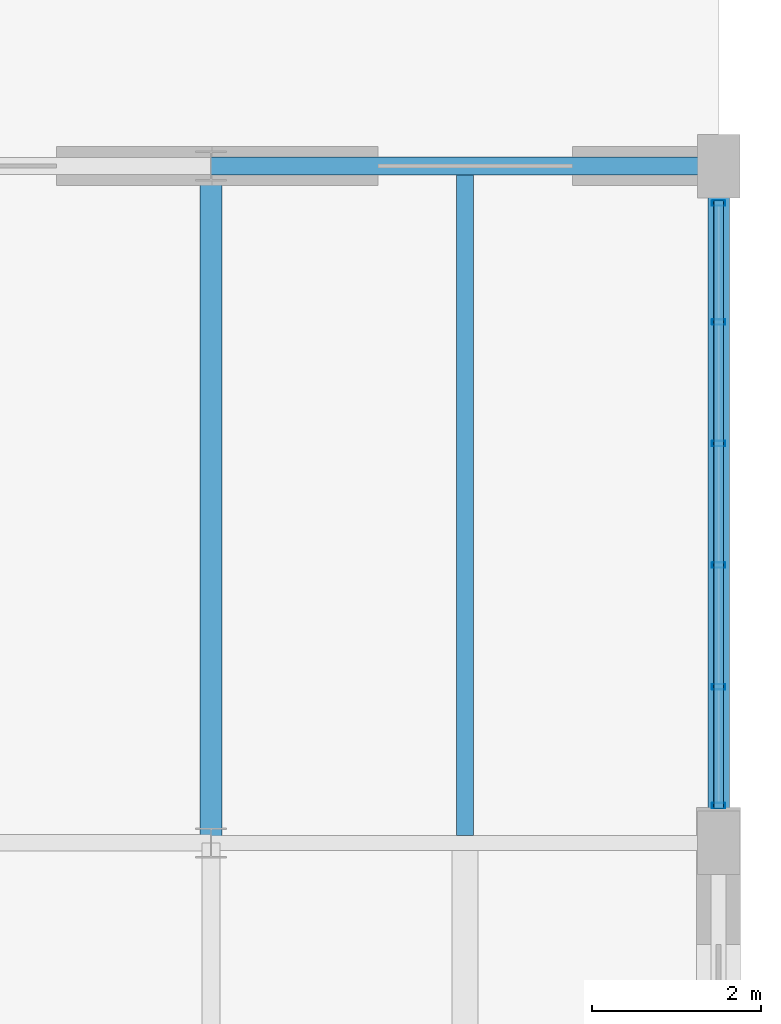
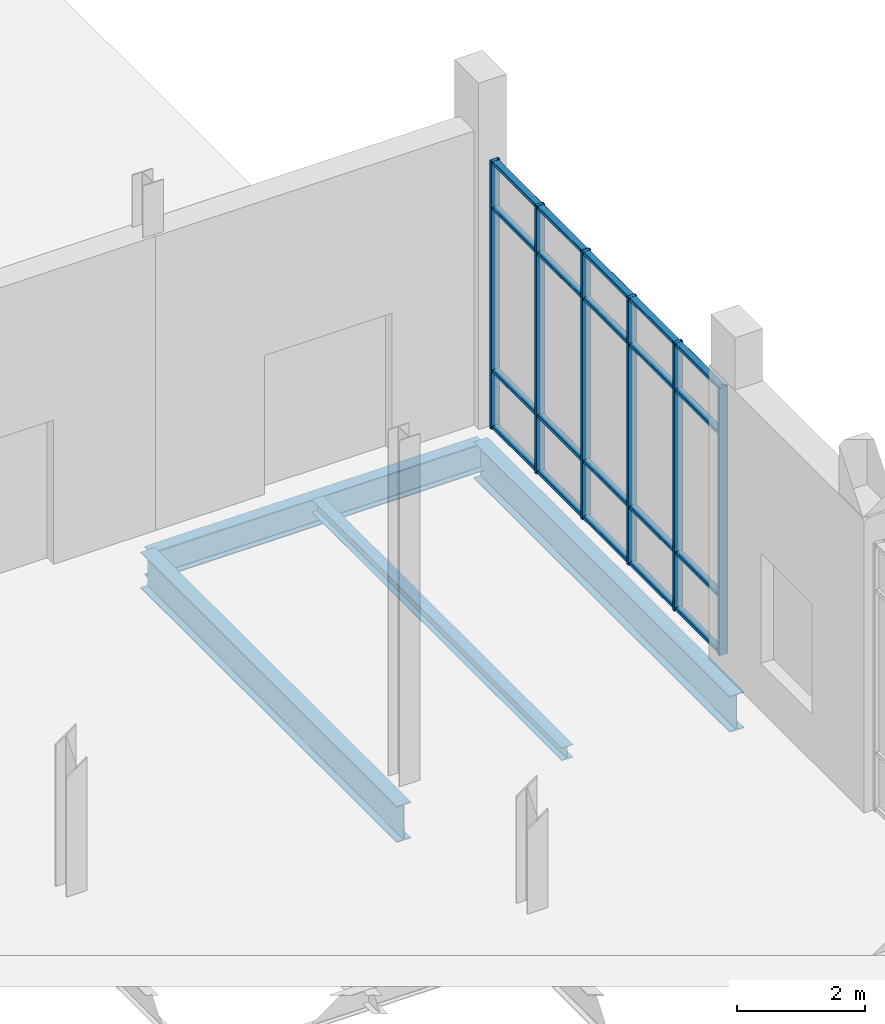
# One storey, part 93 of 140: 10 members, 4 beams, 1 element without a shape of its own.
"""IFC4 building model written with IfcOpenShell, lengths in metres."""

import ifcopenshell
import ifcopenshell.guid

model = None  # the IFC model being written
_history = None  # IfcOwnerHistory: only IFC2X3 demands one
_inside = {}  # id of a spatial element -> (the spatial element, [elements in it])
_under = {}  # id of a project, library or spatial element -> (it, [spatial elements below it])
_declared = {}  # id of a project -> (the project, [libraries it declares])
_typed = {}  # id of a type object -> (the type object, [elements of that type])
_made_of = {}  # id of a material, layer set ... -> (it, [elements and type objects made of it])


def new_model(schema):
    """Start an empty IFC model of exactly this schema.

    Asked for "IFC4X3", IfcOpenShell would pick the latest addendum, in which some entities
    have other attributes; the version numbers below select the first issue.
    IFC2X3 requires an IfcOwnerHistory on every rooted entity: one is made here for all.
    """
    global model, _history
    if schema == "IFC4X3":
        model = ifcopenshell.file(schema_version=(4, 3, 0, 0))
    else:
        model = ifcopenshell.file(schema=schema)
    _inside.clear()
    _under.clear()
    _declared.clear()
    _typed.clear()
    _made_of.clear()
    _history = None
    if model.schema == "IFC2X3":
        org = make("IfcOrganization", Name="unknown")
        user = make(
            "IfcPersonAndOrganization",
            ThePerson=make("IfcPerson", FamilyName="unknown"),
            TheOrganization=org,
        )
        app = make(
            "IfcApplication",
            ApplicationDeveloper=org,
            Version="unknown",
            ApplicationFullName="unknown",
            ApplicationIdentifier="unknown",
        )
        _history = make(
            "IfcOwnerHistory",
            OwningUser=user,
            OwningApplication=app,
            ChangeAction="ADDED",
            CreationDate=0,
        )
    return model


def make(cls, **values):
    """One entity of the class cls with the attributes given. An attribute that is None is left unset."""
    return model.create_entity(
        cls, **{name: value for name, value in values.items() if value is not None}
    )


def rooted(cls, **values):
    """An entity with a GlobalId (a new one), such as an element, a storey or a relation."""
    return make(cls, GlobalId=ifcopenshell.guid.new(), OwnerHistory=_history, **values)


def si_unit(unit_type, name, prefix=None):
    """IfcSIUnit, for example si_unit("LENGTHUNIT", "METRE", prefix="MILLI")."""
    return make("IfcSIUnit", UnitType=unit_type, Prefix=prefix, Name=name)


def assignment(units):
    """IfcUnitAssignment: the units of a project."""
    return None if units is None else make("IfcUnitAssignment", Units=units)


def point(xyz):
    """IfcCartesianPoint."""
    return None if xyz is None else make("IfcCartesianPoint", Coordinates=xyz)


def direction(xyz):
    """IfcDirection."""
    return None if xyz is None else make("IfcDirection", DirectionRatios=xyz)


def frame(location, z_axis=None, x_axis=None):
    """IfcAxis2Placement3D, a coordinate frame: its origin and axes. An axis left out is left unset."""
    return make(
        "IfcAxis2Placement3D",
        Location=point(location),
        Axis=direction(z_axis),
        RefDirection=direction(x_axis),
    )


def frame_2d(location, x_axis=None):
    """IfcAxis2Placement2D, a coordinate frame in the plane: its origin and x axis."""
    return make(
        "IfcAxis2Placement2D", Location=point(location), RefDirection=direction(x_axis)
    )


def origin():
    """The frame at (0, 0, 0) with its axes left unset."""
    return frame((0.0, 0.0, 0.0))


def origin_2d():
    """The frame at (0, 0) in the plane with its x axis left unset."""
    return frame_2d((0.0, 0.0))


def place(relative_to, where):
    """IfcLocalPlacement: puts the frame where relative to a parent placement (None: the world)."""
    return make(
        "IfcLocalPlacement", PlacementRelTo=relative_to, RelativePlacement=where
    )


def context(
    kind, dimensions, precision=None, world=None, true_north=None, identifier=None
):
    """IfcGeometricRepresentationContext, for example the 3D "Model" context."""
    return make(
        "IfcGeometricRepresentationContext",
        ContextIdentifier=identifier,
        ContextType=kind,
        CoordinateSpaceDimension=dimensions,
        Precision=precision,
        WorldCoordinateSystem=world,
        TrueNorth=true_north,
    )


def subcontext(parent, identifier, kind, view, scale=None):
    """IfcGeometricRepresentationSubContext, for example "Body" below "Model"."""
    return make(
        "IfcGeometricRepresentationSubContext",
        ContextIdentifier=identifier,
        ContextType=kind,
        ParentContext=parent,
        TargetScale=scale,
        TargetView=view,
    )


def project(units=None, contexts=None):
    """IfcProject with its units and contexts."""
    return rooted(
        "IfcProject",
        Name="project",
        RepresentationContexts=contexts,
        UnitsInContext=assignment(units),
    )


def spatial(cls, under=None, at=None, **own):
    """A site, building, storey or space (cls), placed at a placement, below another one or the project."""
    s = rooted(cls, ObjectPlacement=at, **own)
    if under is not None:
        _under.setdefault(under.id(), (under, []))[1].append(s)
    return s


def profile(cls, at=None, kind="AREA", **sizes):
    """A parametric profile (cls). Its sizes go by their IFC names, for example OverallWidth=200.0."""
    return make(cls, ProfileType=kind, Position=at, **sizes)


def hollow_rectangle(**sizes):
    """IfcRectangleHollowProfileDef."""
    return profile("IfcRectangleHollowProfileDef", **sizes)


def i_section(**sizes):
    """IfcIShapeProfileDef."""
    return profile("IfcIShapeProfileDef", **sizes)


def extrude(swept, where, along, depth):
    """IfcExtrudedAreaSolid: the profile swept, set in the frame where, extruded along a direction by depth."""
    return make(
        "IfcExtrudedAreaSolid",
        SweptArea=swept,
        Position=where,
        ExtrudedDirection=direction(along),
        Depth=depth,
    )


def shape(context_of_items, identifier, shape_type, items):
    """IfcShapeRepresentation: the items that make up one representation, for example the "Body"."""
    return make(
        "IfcShapeRepresentation",
        ContextOfItems=context_of_items,
        RepresentationIdentifier=identifier,
        RepresentationType=shape_type,
        Items=items,
    )


def material(Name=None, Category=None):
    """IfcMaterial."""
    return make("IfcMaterial", Name=Name, Category=Category)


def material_profile(
    of_material, cross_section, Name=None, Category=None, Priority=None
):
    """IfcMaterialProfile: a cross section and its material."""
    return make(
        "IfcMaterialProfile",
        Name=Name,
        Material=of_material,
        Profile=cross_section,
        Priority=Priority,
        Category=Category,
    )


def profile_set(profiles, Name=None, composite=None):
    """IfcMaterialProfileSet."""
    return make(
        "IfcMaterialProfileSet",
        Name=Name,
        MaterialProfiles=profiles,
        CompositeProfile=composite,
    )


def made_of(thing, what):
    """Note that an element or type object is made of a material, layer set ...; save() writes the relation."""
    if what is not None:
        _made_of.setdefault(what.id(), (what, []))[1].append(thing)
    return thing


def type_object(cls, material=None, **own):
    """A type object (cls), such as IfcWallType, which elements share."""
    return made_of(rooted(cls, **own), material)


def element(
    cls,
    number,
    at=None,
    inside=None,
    cuts=None,
    type_object=None,
    material=None,
    context=None,
    identifier="Body",
    shape_type=None,
    held_by="IfcProductDefinitionShape",
    body=None,
    shapes=None,
    **own,
):
    """One element of the class cls, such as IfcWall. Its Tag is "e" and its number.

    at: its placement. inside: the storey or other place that contains it. cuts: it is an
    opening in that element (IfcRelVoidsElement). A single representation is given by context,
    identifier, shape_type and body (its items); several are given by shapes. held_by: the class
    of the entity that holds the representations. save() writes the other relations.
    """
    e = rooted(cls, Tag="e%d" % number, ObjectPlacement=at, **own)
    if body is not None:
        shapes = [shape(context, identifier, shape_type, body)]
    if shapes is not None:
        e.Representation = make(held_by, Representations=shapes)
    if inside is not None:
        _inside.setdefault(inside.id(), (inside, []))[1].append(e)
    if cuts is not None:
        rooted(
            "IfcRelVoidsElement", RelatingBuildingElement=cuts, RelatedOpeningElement=e
        )
    if type_object is not None:
        _typed.setdefault(type_object.id(), (type_object, []))[1].append(e)
    return made_of(e, material)


def aggregate(whole, parts):
    """IfcRelAggregates: a whole, such as a stair, and the parts it consists of."""
    return rooted("IfcRelAggregates", RelatingObject=whole, RelatedObjects=parts)


def save(model, path):
    """Write the relations noted so far, then the file.

    IfcRelAggregates (storeys below a building ...), IfcRelContainedInSpatialStructure (elements
    in a storey), IfcRelDefinesByType, IfcRelAssociatesMaterial and IfcRelDeclares: one each for
    every whole, place, type object, material and project.
    """
    for whole, parts in _under.values():
        aggregate(whole, parts)
    for where, things in _inside.values():
        rooted(
            "IfcRelContainedInSpatialStructure",
            RelatedElements=things,
            RelatingStructure=where,
        )
    for kind, things in _typed.values():
        rooted("IfcRelDefinesByType", RelatedObjects=things, RelatingType=kind)
    for what, things in _made_of.values():
        rooted("IfcRelAssociatesMaterial", RelatedObjects=things, RelatingMaterial=what)
    for by, libraries in _declared.values():
        rooted("IfcRelDeclares", RelatingContext=by, RelatedDefinitions=libraries)
    model.write(path)


model = new_model("IFC4")

# Units and contexts
model_context = context("Model", 3, precision=1e-05, world=origin(), true_north=direction((0.0, 1.0)))
body_context = subcontext(model_context, "Body", "Model", "MODEL_VIEW")
ifc_project = project(units=[si_unit("LENGTHUNIT", "METRE"), si_unit("AREAUNIT", "SQUARE_METRE"), si_unit("VOLUMEUNIT", "CUBIC_METRE"), si_unit("PLANEANGLEUNIT", "RADIAN"), si_unit("MASSUNIT", "GRAM", prefix="KILO")], contexts=[model_context])

# Site, building, storey
site_placement = place(None, origin())
site = spatial("IfcSite", under=ifc_project, at=site_placement, CompositionType="ELEMENT")
building_placement = place(site_placement, origin())
building = spatial("IfcBuilding", under=site, at=building_placement, Name="Verrall Gate Interchange", CompositionType="ELEMENT")
storey_placement = place(building_placement, origin())
storey = spatial("IfcBuildingStorey", under=building, at=storey_placement, Name="L01", CompositionType="ELEMENT", Elevation=0.0)

# Beams
ifc_material_1 = material(Name="Structural Steel CSA G40.21 350WT Cat 4", Category="steel")
ifc_material_profile_1 = material_profile(ifc_material_1, i_section(OverallWidth=0.256103515625, OverallDepth=0.693115234375, WebThickness=0.01318359375, FlangeThickness=0.02001953125, FilletRadius=0.01611328125, at=origin_2d()), Name="W690x170")
ifc_profile_set_1 = profile_set([ifc_material_profile_1], Name="Structural Steel CSA G40.21 350WT Cat 4")
beam_type_1 = type_object("IfcBeamType", Name="B-07 Structural Beam W690x170", PredefinedType="BEAM", material=ifc_profile_set_1)
for number, where, z_axis, x_axis, name in (
    (1, (162.0, 48.0, -0.846435546875), (0.0, 1.0, 0.0), (-1.0, 0.0, 0.0), "L01 Girder BM-L01-1242 (B-07)"),
    (2, (168.0, 48.0, -0.846435546875), (0.0, 1.0, 0.0), (-1.0, 0.0, 0.0), "L01 Girder BM-L01-1250 (B-07)"),
):
    element("IfcBeam", number, at=place(storey_placement, frame(where, z_axis=z_axis, x_axis=x_axis)), inside=storey, type_object=beam_type_1, Name=name, PredefinedType="BEAM", context=body_context, shape_type="SweptSolid", body=[
        extrude(i_section(OverallWidth=0.256103515625, OverallDepth=0.693115234375, WebThickness=0.01318359375, FlangeThickness=0.02001953125, FilletRadius=0.01611328125, at=origin_2d()), origin(), (0.0, 0.0, 1.0), 8.0),
    ])
ifc_material_2 = material(Name="Structural Steel CSA G40.21 350W", Category="steel")
ifc_material_profile_2 = material_profile(ifc_material_2, i_section(OverallWidth=0.2109375, OverallDepth=0.5390625, WebThickness=0.01171875, FlangeThickness=0.018798828125, FilletRadius=0.013916015625, at=origin_2d()), Name="W530x109")
ifc_profile_set_2 = profile_set([ifc_material_profile_2], Name="Structural Steel CSA G40.21 350W")
beam_type_2 = type_object("IfcBeamType", Name="B-10 Structural Beam W530x109", PredefinedType="BEAM", material=ifc_profile_set_2)
beam_1_placement = place(storey_placement, frame((162.0, 56.0, -0.76953125), z_axis=(1.0, 0.0, 0.0), x_axis=(0.0, 1.0, 0.0)))
element("IfcBeam", 3, at=beam_1_placement, inside=storey, type_object=beam_type_2, Name="L01 Girder BM-L01-0956 (B-10)", PredefinedType="BEAM", context=body_context, shape_type="SweptSolid", body=[
    extrude(i_section(OverallWidth=0.2109375, OverallDepth=0.5390625, WebThickness=0.01171875, FlangeThickness=0.018798828125, FilletRadius=0.013916015625, at=origin_2d()), origin(), (0.0, 0.0, 1.0), 6.0),
])

# Curtain wall, members
ifc_material_3 = material(Name="Thermally Broken Anodized Aluminium Curtain Wall Framing", Category="aluminium")
curtain_wall_type = type_object("IfcCurtainWallType", Name="CW-13 Unitized Curtain Wall 7186x5100", PredefinedType="NOTDEFINED", material=ifc_material_3)
curtain_wall_placement = place(storey_placement, origin())
curtain_wall = element("IfcCurtainWall", 4, at=curtain_wall_placement, inside=storey, type_object=curtain_wall_type, Name="L01 Unitized Curtain Wall CW-L01-044", PredefinedType="NOTDEFINED")
ifc_material_4 = material(Name="Thermally Broken Anodized Aluminium Curtain Wall Framing", Category="aluminium")
ifc_material_profile_3 = material_profile(ifc_material_4, hollow_rectangle(XDim=0.06494140625, YDim=0.159912109375, WallThickness=0.00390625, InnerFilletRadius=0.00390625, OuterFilletRadius=0.008056640625, at=origin_2d()), Name="CWM160x65x4")
ifc_profile_set_3 = profile_set([ifc_material_profile_3], Name="Thermally Broken Anodized Aluminium Curtain Wall Framing")
member_type_1 = type_object("IfcMemberType", Name="CM-01 Curtain Mullion CWM160x65x4", PredefinedType="MULLION", material=ifc_profile_set_3)
member_1_placement = place(storey_placement, frame((168.0, 48.439453125, 0.0), z_axis=(0.0, 0.0, 1.0), x_axis=(0.0, 1.0, 0.0)))
member_1 = element("IfcMember", 5, at=member_1_placement, type_object=member_type_1, Name="CW-L01-044 Mullion 1", PredefinedType="MULLION", context=body_context, shape_type="SweptSolid", body=[
    extrude(hollow_rectangle(XDim=0.06494140625, YDim=0.159912109375, WallThickness=0.00390625, InnerFilletRadius=0.00390625, OuterFilletRadius=0.008056640625, at=origin_2d()), origin(), (0.0, 0.0, 1.0), 5.10009765625),
])
member_2_placement = place(storey_placement, frame((168.0, 49.84423828125, 0.0), z_axis=(0.0, 0.0, 1.0), x_axis=(0.0, 1.0, 0.0)))
member_2 = element("IfcMember", 6, at=member_2_placement, type_object=member_type_1, Name="CW-L01-044 Mullion 2", PredefinedType="MULLION", context=body_context, shape_type="SweptSolid", body=[
    extrude(hollow_rectangle(XDim=0.06494140625, YDim=0.159912109375, WallThickness=0.00390625, InnerFilletRadius=0.00390625, OuterFilletRadius=0.008056640625, at=origin_2d()), origin(), (0.0, 0.0, 1.0), 5.10009765625),
])
member_3_placement = place(storey_placement, frame((168.0, 51.281494140625, 0.0), z_axis=(0.0, 0.0, 1.0), x_axis=(0.0, 1.0, 0.0)))
member_3 = element("IfcMember", 7, at=member_3_placement, type_object=member_type_1, Name="CW-L01-044 Mullion 3", PredefinedType="MULLION", context=body_context, shape_type="SweptSolid", body=[
    extrude(hollow_rectangle(XDim=0.06494140625, YDim=0.159912109375, WallThickness=0.00390625, InnerFilletRadius=0.00390625, OuterFilletRadius=0.008056640625, at=origin_2d()), origin(), (0.0, 0.0, 1.0), 5.10009765625),
])
member_4_placement = place(storey_placement, frame((168.0, 52.718505859375, 0.0), z_axis=(0.0, 0.0, 1.0), x_axis=(0.0, 1.0, 0.0)))
member_4 = element("IfcMember", 8, at=member_4_placement, type_object=member_type_1, Name="CW-L01-044 Mullion 4", PredefinedType="MULLION", context=body_context, shape_type="SweptSolid", body=[
    extrude(hollow_rectangle(XDim=0.06494140625, YDim=0.159912109375, WallThickness=0.00390625, InnerFilletRadius=0.00390625, OuterFilletRadius=0.008056640625, at=origin_2d()), origin(), (0.0, 0.0, 1.0), 5.10009765625),
])
member_5_placement = place(storey_placement, frame((168.0, 54.15576171875, 0.0), z_axis=(0.0, 0.0, 1.0), x_axis=(0.0, 1.0, 0.0)))
member_5 = element("IfcMember", 9, at=member_5_placement, type_object=member_type_1, Name="CW-L01-044 Mullion 5", PredefinedType="MULLION", context=body_context, shape_type="SweptSolid", body=[
    extrude(hollow_rectangle(XDim=0.06494140625, YDim=0.159912109375, WallThickness=0.00390625, InnerFilletRadius=0.00390625, OuterFilletRadius=0.008056640625, at=origin_2d()), origin(), (0.0, 0.0, 1.0), 5.10009765625),
])
member_6_placement = place(storey_placement, frame((168.0, 55.560546875, 0.0), z_axis=(0.0, 0.0, 1.0), x_axis=(0.0, 1.0, 0.0)))
member_6 = element("IfcMember", 10, at=member_6_placement, type_object=member_type_1, Name="CW-L01-044 Mullion 6", PredefinedType="MULLION", context=body_context, shape_type="SweptSolid", body=[
    extrude(hollow_rectangle(XDim=0.06494140625, YDim=0.159912109375, WallThickness=0.00390625, InnerFilletRadius=0.00390625, OuterFilletRadius=0.008056640625, at=origin_2d()), origin(), (0.0, 0.0, 1.0), 5.10009765625),
])
ifc_material_5 = material(Name="Thermally Broken Anodized Aluminium Curtain Wall Framing", Category="aluminium")
ifc_material_profile_4 = material_profile(ifc_material_5, hollow_rectangle(XDim=0.1201171875, YDim=0.06494140625, WallThickness=0.00390625, InnerFilletRadius=0.00390625, OuterFilletRadius=0.008056640625, at=origin_2d()), Name="CWT120x65x4")
ifc_profile_set_4 = profile_set([ifc_material_profile_4], Name="Thermally Broken Anodized Aluminium Curtain Wall Framing")
member_type_2 = type_object("IfcMemberType", Name="CT-01 Curtain Transom CWT120x65x4", PredefinedType="USERDEFINED", material=ifc_profile_set_4)
member_7_placement = place(storey_placement, frame((168.0, 48.406982421875, 0.032470703125), z_axis=(0.0, 1.0, 0.0), x_axis=(-1.0, 0.0, 0.0)))
member_7 = element("IfcMember", 11, at=member_7_placement, type_object=member_type_2, Name="CW-L01-044 Transom 1", ObjectType="TRANSOM", PredefinedType="USERDEFINED", context=body_context, shape_type="SweptSolid", body=[
    extrude(hollow_rectangle(XDim=0.1201171875, YDim=0.06494140625, WallThickness=0.00390625, InnerFilletRadius=0.00390625, OuterFilletRadius=0.008056640625, at=origin_2d()), origin(), (0.0, 0.0, 1.0), 7.18603515625),
])
member_8_placement = place(storey_placement, frame((168.0, 48.406982421875, 1.10009765625), z_axis=(0.0, 1.0, 0.0), x_axis=(-1.0, 0.0, 0.0)))
member_8 = element("IfcMember", 12, at=member_8_placement, type_object=member_type_2, Name="CW-L01-044 Transom 2", ObjectType="TRANSOM", PredefinedType="USERDEFINED", context=body_context, shape_type="SweptSolid", body=[
    extrude(hollow_rectangle(XDim=0.1201171875, YDim=0.06494140625, WallThickness=0.00390625, InnerFilletRadius=0.00390625, OuterFilletRadius=0.008056640625, at=origin_2d()), origin(), (0.0, 0.0, 1.0), 7.18603515625),
])
member_9_placement = place(storey_placement, frame((168.0, 48.406982421875, 4.199951171875), z_axis=(0.0, 1.0, 0.0), x_axis=(-1.0, 0.0, 0.0)))
member_9 = element("IfcMember", 13, at=member_9_placement, type_object=member_type_2, Name="CW-L01-044 Transom 3", ObjectType="TRANSOM", PredefinedType="USERDEFINED", context=body_context, shape_type="SweptSolid", body=[
    extrude(hollow_rectangle(XDim=0.1201171875, YDim=0.06494140625, WallThickness=0.00390625, InnerFilletRadius=0.00390625, OuterFilletRadius=0.008056640625, at=origin_2d()), origin(), (0.0, 0.0, 1.0), 7.18603515625),
])
member_10_placement = place(storey_placement, frame((168.0, 48.406982421875, 5.0673828125), z_axis=(0.0, 1.0, 0.0), x_axis=(-1.0, 0.0, 0.0)))
member_10 = element("IfcMember", 14, at=member_10_placement, type_object=member_type_2, Name="CW-L01-044 Transom 4", ObjectType="TRANSOM", PredefinedType="USERDEFINED", context=body_context, shape_type="SweptSolid", body=[
    extrude(hollow_rectangle(XDim=0.1201171875, YDim=0.06494140625, WallThickness=0.00390625, InnerFilletRadius=0.00390625, OuterFilletRadius=0.008056640625, at=origin_2d()), origin(), (0.0, 0.0, 1.0), 7.18603515625),
])
aggregate(curtain_wall, [member_1, member_2, member_3, member_4, member_5, member_6, member_7, member_8, member_9, member_10])

# Beam
ifc_material_6 = material(Name="Structural Steel CSA G40.21 350W", Category="steel")
ifc_material_profile_5 = material_profile(ifc_material_6, i_section(OverallWidth=0.201904296875, OverallDepth=0.2470703125, WebThickness=0.00732421875, FlangeThickness=0.010986328125, FilletRadius=0.010986328125, at=origin_2d()), Name="W250x49")
ifc_profile_set_5 = profile_set([ifc_material_profile_5], Name="Structural Steel CSA G40.21 350W")
beam_type_3 = type_object("IfcBeamType", Name="J-06 Floor Joist W250x49", PredefinedType="JOIST", material=ifc_profile_set_5)
beam_2_placement = place(storey_placement, frame((165.0, 48.089599609375, -0.62353515625), z_axis=(0.0, 1.0, 0.0), x_axis=(-1.0, 0.0, 0.0)))
element("IfcBeam", 15, at=beam_2_placement, inside=storey, type_object=beam_type_3, Name="L01 Secondary Floor Joist JST-L01-1420", PredefinedType="JOIST", context=body_context, shape_type="SweptSolid", body=[
    extrude(i_section(OverallWidth=0.201904296875, OverallDepth=0.2470703125, WebThickness=0.00732421875, FlangeThickness=0.010986328125, FilletRadius=0.010986328125, at=origin_2d()), origin(), (0.0, 0.0, 1.0), 7.804931640625),
])

save(model, "model.ifc")
